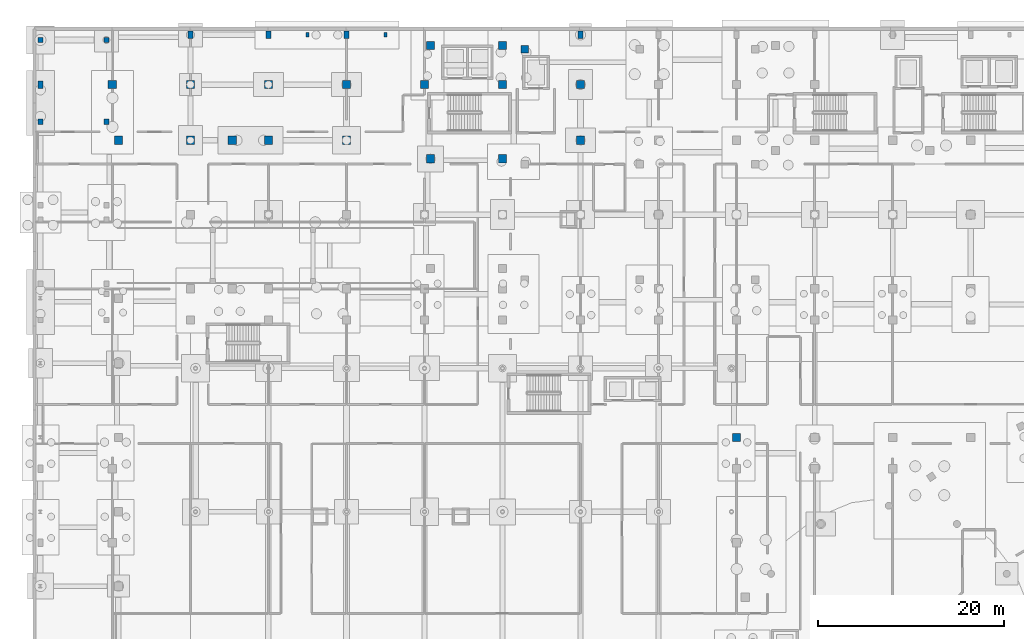
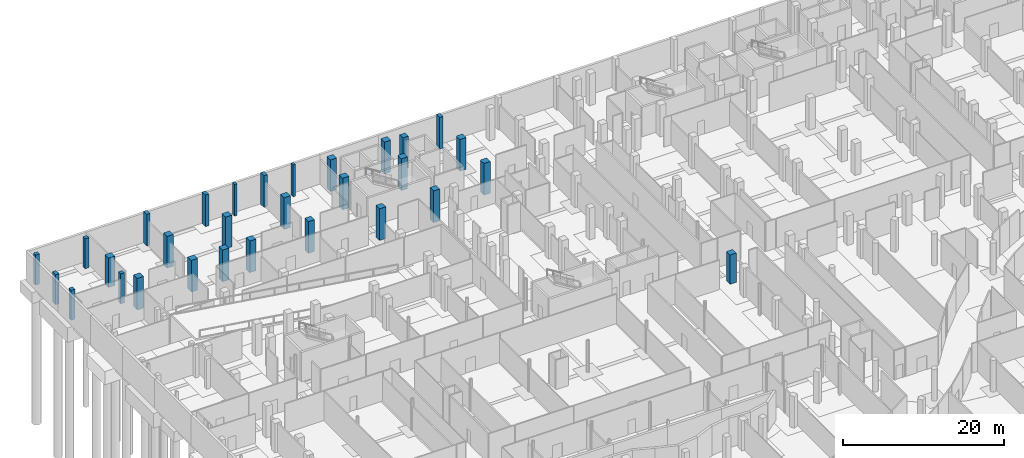
# One storey, part 19 of 45: 30 columns.
"""IFC4 building model written with IfcOpenShell, lengths in metres."""

from ifc_helpers import new_model, si_unit, direction, frame, origin, origin_2d, place, context, subcontext, project, spatial, rectangle, extrude, material, material_profile, profile_set, type_object, element, save


model = new_model("IFC4")

# Units and contexts
model_context = context("Model", 3, precision=1e-05, world=origin(), true_north=direction((0.0, 1.0)))
body_context = subcontext(model_context, "Body", "Model", "MODEL_VIEW")
ifc_project = project(units=[si_unit("LENGTHUNIT", "METRE"), si_unit("AREAUNIT", "SQUARE_METRE"), si_unit("VOLUMEUNIT", "CUBIC_METRE"), si_unit("PLANEANGLEUNIT", "RADIAN"), si_unit("MASSUNIT", "GRAM", prefix="KILO")], contexts=[model_context])

# Site, building, storey
site_placement = place(None, origin())
site = spatial("IfcSite", under=ifc_project, at=site_placement, CompositionType="ELEMENT")
building_placement = place(site_placement, origin())
building = spatial("IfcBuilding", under=site, at=building_placement, Name="Selatvlak General Hospital", CompositionType="ELEMENT")
storey_placement = place(building_placement, frame((0.0, 0.0, -4.800048828125)))
storey = spatial("IfcBuildingStorey", under=building, at=storey_placement, Name="B1", CompositionType="ELEMENT", Elevation=-4.800048828125)

# Columns
ifc_material_1 = material(Name="Concrete C40/50", Category="concrete")
ifc_material_profile_1 = material_profile(ifc_material_1, rectangle(XDim=0.35009765625, YDim=0.5, at=origin_2d()), Name="RC-PIL 500x350")
ifc_profile_set_1 = profile_set([ifc_material_profile_1], Name="Concrete C40/50")
column_type_1 = type_object("IfcColumnType", Name="COL-PIL50", PredefinedType="PILASTER", material=ifc_profile_set_1)
for number, where, z_axis, x_axis, name in (
    (1, (35.39990234375, 119.35009765625, 0.0), (0.0, 0.0, 1.0), (1.0, 0.0, 0.0), "Inboard core pilaster 1 on B1"),
    (2, (43.800048828125, 119.35009765625, 0.0), (0.0, 0.0, 1.0), (1.0, 0.0, 0.0), "Inboard core pilaster 2 on B1"),
):
    element("IfcColumn", number, at=place(storey_placement, frame(where, z_axis=z_axis, x_axis=x_axis)), inside=storey, type_object=column_type_1, Name=name, PredefinedType="PILASTER", context=body_context, shape_type="SweptSolid", body=[
        extrude(rectangle(XDim=0.35009765625, YDim=0.5, at=origin_2d()), origin(), (0.0, 0.0, 1.0), 4.800048828125),
    ])
ifc_material_profile_2 = material_profile(ifc_material_1, rectangle(XDim=0.550048828125, YDim=0.550048828125, at=origin_2d()), Name="RC-COL 550x550")
ifc_profile_set_2 = profile_set([ifc_material_profile_2], Name="Concrete C40/50")
column_type_2 = type_object("IfcColumnType", Name="COL-RC55", PredefinedType="COLUMN", material=ifc_profile_set_2)
for number, where, z_axis, x_axis, name in (
    (3, (6.64990234375, 110.0, 0.0), (0.0, 0.0, 1.0), (1.0, 0.0, 0.0), "Column 077 on B1"),
    (4, (6.64990234375, 118.800048828125, 0.0), (0.0, 0.0, 1.0), (1.0, 0.0, 0.0), "Column 078 on B1"),
    (5, (13.75, 110.0, 0.0), (0.0, 0.0, 1.0), (1.0, 0.0, 0.0), "Column 084 on B1"),
    (6, (13.75, 118.800048828125, 0.0), (0.0, 0.0, 1.0), (1.0, 0.0, 0.0), "Column 085 on B1"),
):
    element("IfcColumn", number, at=place(storey_placement, frame(where, z_axis=z_axis, x_axis=x_axis)), inside=storey, type_object=column_type_2, Name=name, PredefinedType="COLUMN", context=body_context, shape_type="SweptSolid", body=[
        extrude(rectangle(XDim=0.550048828125, YDim=0.550048828125, at=origin_2d()), origin(), (0.0, 0.0, 1.0), 4.554931640625),
    ])
ifc_material_2 = material(Name="Concrete C50/60", Category="concrete")
ifc_material_profile_3 = material_profile(ifc_material_2, rectangle(XDim=0.800048828125, YDim=0.800048828125, at=origin_2d()), Name="RC-COL 800x800")
ifc_profile_set_3 = profile_set([ifc_material_profile_3], Name="Concrete C50/60")
column_type_3 = type_object("IfcColumnType", Name="COL-RC80", PredefinedType="COLUMN", material=ifc_profile_set_3)
column_1_placement = place(storey_placement, frame((58.800048828125, 117.800048828125, 0.0), z_axis=(0.0, 0.0, 1.0), x_axis=(1.0, 0.0, 0.0)))
element("IfcColumn", 7, at=column_1_placement, inside=storey, type_object=column_type_3, Name="Column 039 on B1", PredefinedType="COLUMN", context=body_context, shape_type="SweptSolid", body=[
    extrude(rectangle(XDim=0.800048828125, YDim=0.800048828125, at=origin_2d()), origin(), (0.0, 0.0, 1.0), 4.800048828125),
])
ifc_material_profile_4 = material_profile(ifc_material_2, rectangle(XDim=0.5, YDim=0.800048828125, at=origin_2d()), Name="RC-COL 800x500")
ifc_profile_set_4 = profile_set([ifc_material_profile_4], Name="Concrete C50/60")
column_type_4 = type_object("IfcColumnType", Name="COL-RC85", PredefinedType="COLUMN", material=ifc_profile_set_4)
column_2_placement = place(storey_placement, frame((6.64990234375, 114.0, 0.0), z_axis=(0.0, 0.0, 1.0), x_axis=(1.0, 0.0, 0.0)))
element("IfcColumn", 8, at=column_2_placement, inside=storey, type_object=column_type_4, Name="Column 151 on B1", PredefinedType="COLUMN", context=body_context, shape_type="SweptSolid", body=[
    extrude(rectangle(XDim=0.5, YDim=0.800048828125, at=origin_2d()), origin(), (0.0, 0.0, 1.0), 4.554931640625),
])
for number, where, z_axis, x_axis, name in (
    (9, (22.800048828125, 119.35009765625, 0.0), (0.0, 0.0, 1.0), (1.0, 0.0, 0.0), "Column 163 on B1"),
    (10, (31.199951171875, 119.35009765625, 0.0), (0.0, 0.0, 1.0), (1.0, 0.0, 0.0), "Column 169 on B1"),
    (11, (39.60009765625, 119.35009765625, 0.0), (0.0, 0.0, 1.0), (1.0, 0.0, 0.0), "Column 175 on B1"),
    (12, (64.800048828125, 119.35009765625, 0.0), (0.0, 0.0, 1.0), (1.0, 0.0, 0.0), "Column 191 on B1"),
):
    element("IfcColumn", number, at=place(storey_placement, frame(where, z_axis=z_axis, x_axis=x_axis)), inside=storey, type_object=column_type_4, Name=name, PredefinedType="COLUMN", context=body_context, shape_type="SweptSolid", body=[
        extrude(rectangle(XDim=0.5, YDim=0.800048828125, at=origin_2d()), origin(), (0.0, 0.0, 1.0), 4.800048828125),
    ])
ifc_material_profile_5 = material_profile(ifc_material_2, rectangle(XDim=0.89990234375, YDim=0.89990234375, at=origin_2d()), Name="RC-COL 900x900")
ifc_profile_set_5 = profile_set([ifc_material_profile_5], Name="Concrete C50/60")
column_type_5 = type_object("IfcColumnType", Name="COL-RC90", PredefinedType="COLUMN", material=ifc_profile_set_5)
for number, where, z_axis, x_axis, name in (
    (13, (48.64990234375, 106.0, 0.0), (0.0, 0.0, 1.0), (1.0, 0.0, 0.0), "Column 048 on B1"),
    (14, (56.39990234375, 106.0, 0.0), (0.0, 0.0, 1.0), (1.0, 0.0, 0.0), "Column 049 on B1"),
    (15, (48.64990234375, 118.199951171875, 0.0), (0.0, 0.0, 1.0), (1.0, 0.0, 0.0), "Column 050 on B1"),
    (16, (56.39990234375, 118.199951171875, 0.0), (0.0, 0.0, 1.0), (1.0, 0.0, 0.0), "Column 051 on B1"),
    (17, (27.300048828125, 108.0, 0.0), (0.0, 0.0, 1.0), (1.0, 0.0, 0.0), "Column 112 on B1"),
):
    element("IfcColumn", number, at=place(storey_placement, frame(where, z_axis=z_axis, x_axis=x_axis)), inside=storey, type_object=column_type_5, Name=name, PredefinedType="COLUMN", context=body_context, shape_type="SweptSolid", body=[
        extrude(rectangle(XDim=0.89990234375, YDim=0.89990234375, at=origin_2d()), origin(), (0.0, 0.0, 1.0), 4.800048828125),
    ])
column_3_placement = place(storey_placement, frame((14.39990234375, 114.0, 0.0), z_axis=(0.0, 0.0, 1.0), x_axis=(1.0, 0.0, 0.0)))
element("IfcColumn", 18, at=column_3_placement, inside=storey, type_object=column_type_5, Name="Column 154 on B1", PredefinedType="COLUMN", context=body_context, shape_type="SweptSolid", body=[
    extrude(rectangle(XDim=0.89990234375, YDim=0.89990234375, at=origin_2d()), origin(), (0.0, 0.0, 1.0), 4.449951171875),
])
for number, where, z_axis, x_axis, name in (
    (19, (15.050048828125, 108.0, 0.0), (0.0, 0.0, 1.0), (1.0, 0.0, 0.0), "Column 156 on B1"),
    (20, (22.800048828125, 108.0, 0.0), (0.0, 0.0, 1.0), (1.0, 0.0, 0.0), "Column 161 on B1"),
    (21, (22.800048828125, 114.0, 0.0), (0.0, 0.0, 1.0), (1.0, 0.0, 0.0), "Column 162 on B1"),
    (22, (31.199951171875, 108.0, 0.0), (0.0, 0.0, 1.0), (1.0, 0.0, 0.0), "Column 167 on B1"),
    (23, (31.199951171875, 114.0, 0.0), (0.0, 0.0, 1.0), (1.0, 0.0, 0.0), "Column 168 on B1"),
    (24, (39.60009765625, 108.0, 0.0), (0.0, 0.0, 1.0), (1.0, 0.0, 0.0), "Column 173 on B1"),
    (25, (39.60009765625, 114.0, 0.0), (0.0, 0.0, 1.0), (1.0, 0.0, 0.0), "Column 174 on B1"),
    (26, (48.0, 114.0, 0.0), (0.0, 0.0, 1.0), (1.0, 0.0, 0.0), "Column 180 on B1"),
    (27, (56.39990234375, 114.0, 0.0), (0.0, 0.0, 1.0), (1.0, 0.0, 0.0), "Column 184 on B1"),
    (28, (64.800048828125, 108.0, 0.0), (0.0, 0.0, 1.0), (1.0, 0.0, 0.0), "Column 189 on B1"),
    (29, (64.800048828125, 114.0, 0.0), (0.0, 0.0, 1.0), (1.0, 0.0, 0.0), "Column 190 on B1"),
):
    element("IfcColumn", number, at=place(storey_placement, frame(where, z_axis=z_axis, x_axis=x_axis)), inside=storey, type_object=column_type_5, Name=name, PredefinedType="COLUMN", context=body_context, shape_type="SweptSolid", body=[
        extrude(rectangle(XDim=0.89990234375, YDim=0.89990234375, at=origin_2d()), origin(), (0.0, 0.0, 1.0), 4.800048828125),
    ])
column_4_placement = place(storey_placement, frame((81.60009765625, 76.0, 0.0), z_axis=(0.0, 0.0, 1.0), x_axis=(1.0, 0.0, 0.0)))
element("IfcColumn", 30, at=column_4_placement, inside=storey, type_object=column_type_5, Name="Column 200 on B1", PredefinedType="COLUMN", context=body_context, shape_type="SweptSolid", body=[
    extrude(rectangle(XDim=0.89990234375, YDim=0.89990234375, at=origin_2d()), origin(), (0.0, 0.0, 1.0), 4.449951171875),
])

save(model, "model.ifc")
